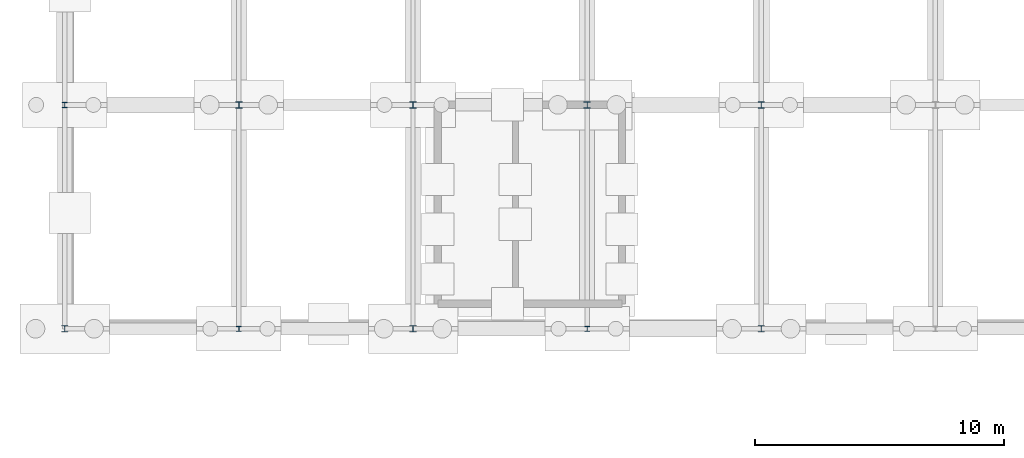
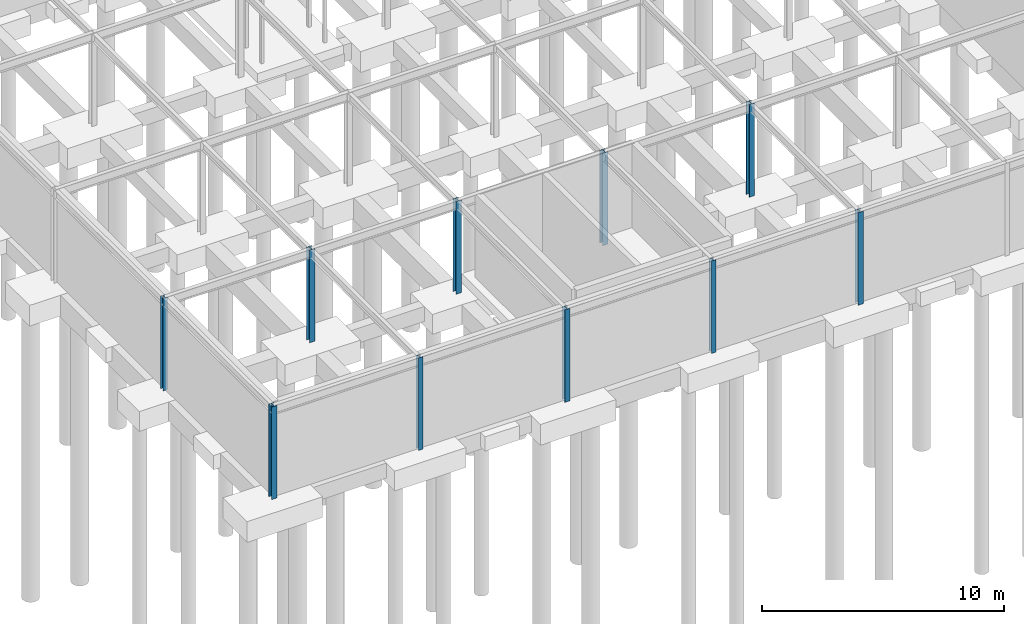
# One storey, part 13 of 75: 10 columns.
"""IFC4 building model written with IfcOpenShell, lengths in metres."""

from ifc_helpers import new_model, si_unit, derived_unit, direction, frame, origin, origin_2d_with_axis, place, context, subcontext, project, spatial, i_section, extrude, material, material_profile, profile_set, type_object, element, save


model = new_model("IFC4")

# Units and contexts
model_context = context("Model", 3, precision=1e-05, world=origin(), true_north=direction((0.0, 1.0)))
body_context = subcontext(model_context, "Body", "Model", "MODEL_VIEW")
ifc_project = project(units=[si_unit("LENGTHUNIT", "METRE"), si_unit("AREAUNIT", "SQUARE_METRE"), si_unit("VOLUMEUNIT", "CUBIC_METRE"), si_unit("PLANEANGLEUNIT", "RADIAN"), si_unit("MASSUNIT", "GRAM", prefix="KILO"), derived_unit("THERMALTRANSMITTANCEUNIT", [(si_unit("POWERUNIT", "WATT"), 1), (si_unit("LENGTHUNIT", "METRE"), -2), (si_unit("THERMODYNAMICTEMPERATUREUNIT", "KELVIN"), -1)])], contexts=[model_context])

# Site, building, storey
site_placement = place(None, origin())
site = spatial("IfcSite", under=ifc_project, at=site_placement, CompositionType="ELEMENT")
building_placement = place(site_placement, origin())
building = spatial("IfcBuilding", under=site, at=building_placement, Name="Cinnabar Yard Market Hall", CompositionType="ELEMENT")
storey_placement = place(building_placement, frame((0.0, 0.0, -4.5)))
storey = spatial("IfcBuildingStorey", under=building, at=storey_placement, Name="B1", CompositionType="ELEMENT", Elevation=-4.5)

# Columns
ifc_material = material(Name="Steel Grade 300 (300 MPa)", Category="steel")
ifc_material_profile_1 = material_profile(ifc_material, i_section(OverallWidth=0.256103515625, OverallDepth=0.260009765625, WebThickness=0.010498046875, FlangeThickness=0.017333984375, FilletRadius=0.013916015625, at=origin_2d_with_axis()), Name="250UC89.5")
ifc_profile_set_1 = profile_set([ifc_material_profile_1], Name="Steel Grade 300 (300 MPa)")
column_type_1 = type_object("IfcColumnType", Name="COL-C10", PredefinedType="COLUMN", material=ifc_profile_set_1)
for number, where, z_axis, x_axis, name in (
    (1, (17.0, 57.0, -0.449951171875), (0.0, 0.0, 1.0), (1.0, 0.0, 0.0), "Pavilion Pier V2-02-02 B1"),
    (2, (24.0, 57.0, -0.449951171875), (0.0, 0.0, 1.0), (1.0, 0.0, 0.0), "Pavilion Pier V2-03-02 B1"),
    (3, (31.0, 57.0, -0.449951171875), (0.0, 0.0, 1.0), (1.0, 0.0, 0.0), "Pavilion Pier V2-04-02 B1"),
    (4, (38.0, 57.0, -0.449951171875), (0.0, 0.0, 1.0), (1.0, 0.0, 0.0), "Pavilion Pier V2-05-02 B1"),
):
    element("IfcColumn", number, at=place(storey_placement, frame(where, z_axis=z_axis, x_axis=x_axis)), inside=storey, type_object=column_type_1, Name=name, PredefinedType="COLUMN", context=body_context, shape_type="SweptSolid", body=[
        extrude(i_section(OverallWidth=0.256103515625, OverallDepth=0.260009765625, WebThickness=0.010498046875, FlangeThickness=0.017333984375, FilletRadius=0.013916015625, at=origin_2d_with_axis()), origin(), (0.0, 0.0, 1.0), 4.669921875),
    ])
ifc_material_profile_2 = material_profile(ifc_material, i_section(OverallWidth=0.25390625, OverallDepth=0.25390625, WebThickness=0.008544921875, FlangeThickness=0.01416015625, FilletRadius=0.013916015625, at=origin_2d_with_axis()), Name="250UC72.9")
ifc_profile_set_2 = profile_set([ifc_material_profile_2], Name="Steel Grade 300 (300 MPa)")
column_type_2 = type_object("IfcColumnType", Name="COL-C11", PredefinedType="COLUMN", material=ifc_profile_set_2)
for number, where, z_axis, x_axis, name in (
    (5, (10.0, 48.0, -0.449951171875), (0.0, 0.0, 1.0), (1.0, 0.0, 0.0), "Pavilion Pier V2-01-01 B1"),
    (6, (24.0, 48.0, -0.449951171875), (0.0, 0.0, 1.0), (1.0, 0.0, 0.0), "Pavilion Pier V2-03-01 B1"),
    (7, (38.0, 48.0, -0.449951171875), (0.0, 0.0, 1.0), (1.0, 0.0, 0.0), "Pavilion Pier V2-05-01 B1"),
):
    element("IfcColumn", number, at=place(storey_placement, frame(where, z_axis=z_axis, x_axis=x_axis)), inside=storey, type_object=column_type_2, Name=name, PredefinedType="COLUMN", context=body_context, shape_type="SweptSolid", body=[
        extrude(i_section(OverallWidth=0.25390625, OverallDepth=0.25390625, WebThickness=0.008544921875, FlangeThickness=0.01416015625, FilletRadius=0.013916015625, at=origin_2d_with_axis()), origin(), (0.0, 0.0, 1.0), 4.669921875),
    ])
ifc_material_profile_3 = material_profile(ifc_material, i_section(OverallWidth=0.205078125, OverallDepth=0.209716796875, WebThickness=0.00927734375, FlangeThickness=0.01416015625, FilletRadius=0.011474609375, at=origin_2d_with_axis()), Name="200UC59.5")
ifc_profile_set_3 = profile_set([ifc_material_profile_3], Name="Steel Grade 300 (300 MPa)")
column_type_3 = type_object("IfcColumnType", Name="COL-C12", PredefinedType="COLUMN", material=ifc_profile_set_3)
for number, where, z_axis, x_axis, name in (
    (8, (10.0, 57.0, -0.449951171875), (0.0, 0.0, 1.0), (1.0, 0.0, 0.0), "Pavilion Pier V2-01-02 B1"),
    (9, (17.0, 48.0, -0.449951171875), (0.0, 0.0, 1.0), (1.0, 0.0, 0.0), "Pavilion Pier V2-02-01 B1"),
    (10, (31.0, 48.0, -0.449951171875), (0.0, 0.0, 1.0), (1.0, 0.0, 0.0), "Pavilion Pier V2-04-01 B1"),
):
    element("IfcColumn", number, at=place(storey_placement, frame(where, z_axis=z_axis, x_axis=x_axis)), inside=storey, type_object=column_type_3, Name=name, PredefinedType="COLUMN", context=body_context, shape_type="SweptSolid", body=[
        extrude(i_section(OverallWidth=0.205078125, OverallDepth=0.209716796875, WebThickness=0.00927734375, FlangeThickness=0.01416015625, FilletRadius=0.011474609375, at=origin_2d_with_axis()), origin(), (0.0, 0.0, 1.0), 4.669921875),
    ])

save(model, "model.ifc")
